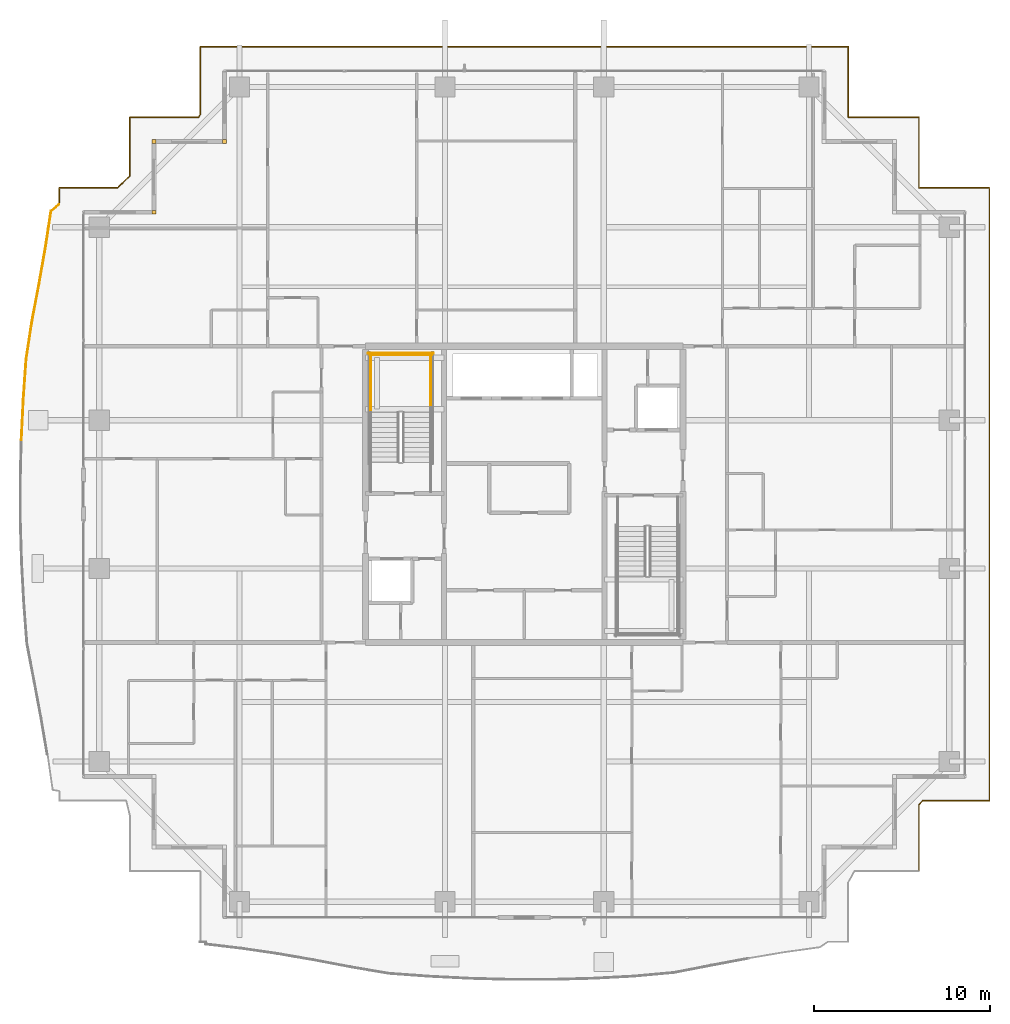
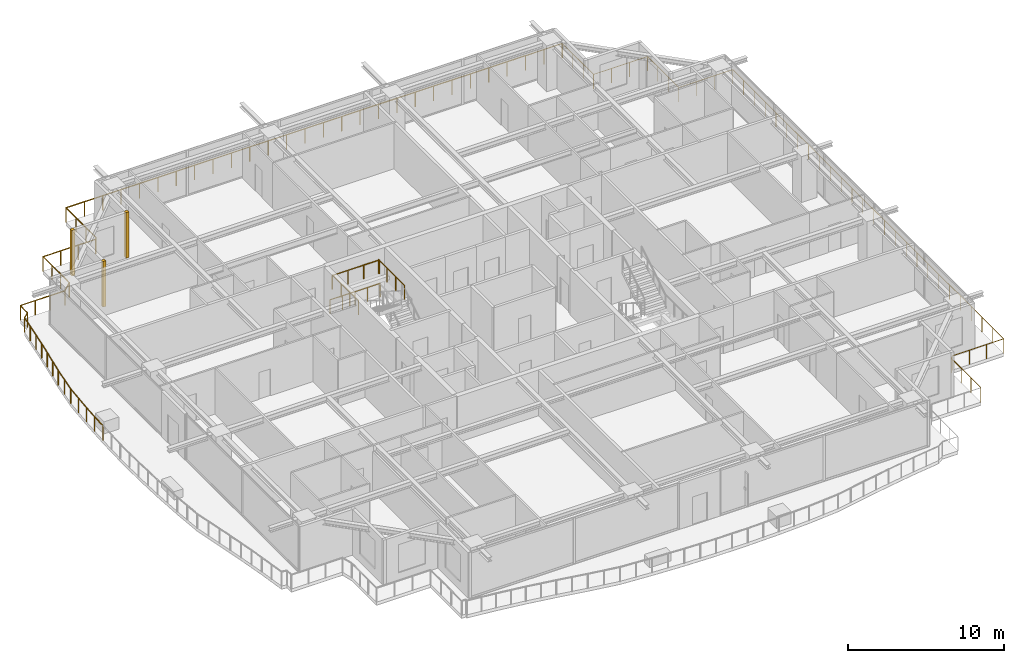
# One storey, part 36 of 37: 7 railings, 3 coverings.
"""IFC4 building model written with IfcOpenShell, lengths in metres."""

from ifc_helpers import new_model, si_unit, direction, frame, origin, origin_2d, place, context, subcontext, project, spatial, rectangle, circle, extrude, source, transform, mapped, material, layer, layer_set, type_object, element, save


model = new_model("IFC4")

# Units and contexts
model_context = context("Model", 3, precision=1e-05, world=origin(), true_north=direction((0.0, 1.0)))
body_context = subcontext(model_context, "Body", "Model", "MODEL_VIEW")
ifc_project = project(units=[si_unit("LENGTHUNIT", "METRE"), si_unit("AREAUNIT", "SQUARE_METRE"), si_unit("VOLUMEUNIT", "CUBIC_METRE"), si_unit("PLANEANGLEUNIT", "RADIAN"), si_unit("MASSUNIT", "GRAM", prefix="KILO")], contexts=[model_context])

# Site, building, storey
site_placement = place(None, origin())
site = spatial("IfcSite", under=ifc_project, at=site_placement, CompositionType="ELEMENT")
building_placement = place(site_placement, origin())
building = spatial("IfcBuilding", under=site, at=building_placement, Name="Serunith Strait Residences", CompositionType="ELEMENT")
storey_placement = place(building_placement, frame((0.0, 0.0, 218.14990234375)))
storey = spatial("IfcBuildingStorey", under=building, at=storey_placement, Name="L54", CompositionType="ELEMENT", Elevation=218.14990234375)

# Railings
ifc_material_1 = material(Name="Stainless Steel & Laminated Glass Balustrade", Category="steel")
railing_type_1 = type_object("IfcRailingType", Name="RLG-BALC-1150", PredefinedType="BALUSTRADE", material=ifc_material_1)
railing_1_placement = place(storey_placement, frame((3.88232421875, 28.289306640625, -0.0498046875)))
element("IfcRailing", 1, at=railing_1_placement, inside=storey, type_object=railing_type_1, Name="L54 Swirling Balcony Perimeter Balustrade 3", PredefinedType="BALUSTRADE", context=body_context, shape_type="SweptSolid", body=[
    extrude(circle(Radius=0.02392578125, at=origin_2d()), frame((0.0, 0.001953125, 1.1259765625), z_axis=(0.048820260477, 0.998807580151, 0.0), x_axis=(-0.998807580151, 0.048820260477, 0.0)), (0.0, 0.0, 1.0), 2.306396484375),
    extrude(circle(Radius=0.02392578125, at=origin_2d()), frame((0.113037109375, 2.3095703125, 1.1259765625), z_axis=(0.069756729847, 0.997564032351, 0.0), x_axis=(-0.997564032351, 0.069756729847, 0.0)), (0.0, 0.0, 1.0), 2.27783203125),
    extrude(circle(Radius=0.02392578125, at=origin_2d()), frame((0.272216796875, 4.5859375, 1.1259765625), z_axis=(0.151974309737, 0.98838444402, 0.0), x_axis=(-0.98838444402, 0.151974309737, 0.0)), (0.0, 0.0, 1.0), 2.209716796875),
    extrude(circle(Radius=0.02392578125, at=origin_2d()), frame((0.60888671875, 6.77392578125, 1.1259765625), z_axis=(0.186839873105, 0.982390381578, 0.0), x_axis=(-0.982390381578, 0.186839873105, 0.0)), (0.0, 0.0, 1.0), 2.138916015625),
    extrude(circle(Radius=0.02392578125, at=origin_2d()), frame((1.009033203125, 8.879150390625, 1.1259765625), z_axis=(0.173159168295, 0.984893853385, 0.0), x_axis=(-0.984893853385, 0.173159168295, 0.0)), (0.0, 0.0, 1.0), 2.0869140625),
    extrude(circle(Radius=0.02392578125, at=origin_2d()), frame((1.37109375, 10.9384765625, 1.1259765625), z_axis=(0.150111437986, 0.988669083256, 0.0), x_axis=(-0.988669083256, 0.150111437986, 0.0)), (0.0, 0.0, 1.0), 2.0517578125),
    extrude(circle(Radius=0.02392578125, at=origin_2d()), frame((1.680908203125, 12.97021484375, 1.1259765625), z_axis=(0.764837226142, 0.644223577267, 0.0), x_axis=(-0.644223577267, 0.764837226142, 0.0)), (0.0, 0.0, 1.0), 0.59521484375),
    extrude(circle(Radius=0.02099609375, at=origin_2d()), origin(), (0.0, 0.0, 1.0), 1.099853515625),
    extrude(circle(Radius=0.02099609375, at=origin_2d()), frame((0.056396484375, 1.15380859375, 0.0)), (0.0, 0.0, 1.0), 1.099853515625),
    extrude(circle(Radius=0.02099609375, at=origin_2d()), frame((0.11279296875, 2.3076171875, 0.0)), (0.0, 0.0, 1.0), 1.099853515625),
    extrude(circle(Radius=0.02099609375, at=origin_2d()), frame((0.1923828125, 3.44580078125, 0.0)), (0.0, 0.0, 1.0), 1.099853515625),
    extrude(circle(Radius=0.02099609375, at=origin_2d()), frame((0.27197265625, 4.583984375, 0.0)), (0.0, 0.0, 1.0), 1.099853515625),
    extrude(circle(Radius=0.02099609375, at=origin_2d()), frame((0.440185546875, 5.677978515625, 0.0)), (0.0, 0.0, 1.0), 1.099853515625),
    extrude(circle(Radius=0.02099609375, at=origin_2d()), frame((0.6083984375, 6.77197265625, 0.0)), (0.0, 0.0, 1.0), 1.099853515625),
    extrude(circle(Radius=0.02099609375, at=origin_2d()), frame((0.80859375, 7.82470703125, 0.0)), (0.0, 0.0, 1.0), 1.099853515625),
    extrude(circle(Radius=0.02099609375, at=origin_2d()), frame((1.0087890625, 8.877197265625, 0.0)), (0.0, 0.0, 1.0), 1.099853515625),
    extrude(circle(Radius=0.02099609375, at=origin_2d()), frame((1.18994140625, 9.90673828125, 0.0)), (0.0, 0.0, 1.0), 1.099853515625),
    extrude(circle(Radius=0.02099609375, at=origin_2d()), frame((1.370849609375, 10.9365234375, 0.0)), (0.0, 0.0, 1.0), 1.099853515625),
    extrude(circle(Radius=0.02099609375, at=origin_2d()), frame((1.525146484375, 11.95263671875, 0.0)), (0.0, 0.0, 1.0), 1.099853515625),
    extrude(circle(Radius=0.02099609375, at=origin_2d()), frame((1.679443359375, 12.968994140625, 0.0)), (0.0, 0.0, 1.0), 1.099853515625),
    extrude(circle(Radius=0.02099609375, at=origin_2d()), frame((2.1376953125, 13.35498046875, 0.0)), (0.0, 0.0, 1.0), 1.099853515625),
])
railing_2_placement = place(storey_placement, frame((6.02001953125, 41.644287109375, -0.0498046875)))
element("IfcRailing", 2, at=railing_2_placement, inside=storey, type_object=railing_type_1, Name="L54 Swirling Balcony Perimeter Balustrade 4", PredefinedType="BALUSTRADE", context=body_context, shape_type="SweptSolid", body=[
    extrude(circle(Radius=0.02392578125, at=origin_2d()), frame((0.0, 0.001953125, 1.1259765625), z_axis=(0.0, 1.0, 0.0), x_axis=(-1.0, 0.0, 0.0)), (0.0, 0.0, 1.0), 0.931884765625),
    extrude(circle(Radius=0.02392578125, at=origin_2d()), frame((0.001953125, 0.935791015625, 1.1259765625), z_axis=(1.0, 0.0, 0.0), x_axis=(0.0, 1.0, 0.0)), (0.0, 0.0, 1.0), 3.295654296875),
    extrude(circle(Radius=0.02392578125, at=origin_2d()), frame((3.301025390625, 0.937255859375, 1.1259765625), z_axis=(0.731402754237, 0.681945753777, 0.0), x_axis=(-0.681945753777, 0.731402754237, 0.0)), (0.0, 0.0, 1.0), 0.95361328125),
    extrude(circle(Radius=0.02392578125, at=origin_2d()), frame((4.0, 1.5908203125, 1.1259765625), z_axis=(0.0, 1.0, 0.0), x_axis=(-1.0, 0.0, 0.0)), (0.0, 0.0, 1.0), 3.343017578125),
    extrude(circle(Radius=0.02392578125, at=origin_2d()), frame((4.001953125, 4.935791015625, 1.1259765625), z_axis=(1.0, 0.0, 0.0), x_axis=(0.0, 1.0, 0.0)), (0.0, 0.0, 1.0), 3.89501953125),
    extrude(circle(Radius=0.02392578125, at=origin_2d()), frame((7.89990234375, 4.9375, 1.1259765625), z_axis=(0.547356223896, 0.836899733638, 0.0), x_axis=(-0.836899733638, 0.547356223896, 0.0)), (0.0, 0.0, 1.0), 0.1806640625),
    extrude(circle(Radius=0.02392578125, at=origin_2d()), frame((8.0, 5.09228515625, 1.1259765625), z_axis=(0.0, 1.0, 0.0), x_axis=(-1.0, 0.0, 0.0)), (0.0, 0.0, 1.0), 3.841552734375),
    extrude(circle(Radius=0.02392578125, at=origin_2d()), frame((8.001953125, 8.935791015625, 1.1259765625), z_axis=(1.0, 0.0, 0.0), x_axis=(0.0, 1.0, 0.0)), (0.0, 0.0, 1.0), 36.756103515625),
    extrude(circle(Radius=0.02099609375, at=origin_2d()), origin(), (0.0, 0.0, 1.0), 1.099853515625),
    extrude(circle(Radius=0.02099609375, at=origin_2d()), frame((0.0, 0.935791015625, 0.0)), (0.0, 0.0, 1.0), 1.099853515625),
    extrude(circle(Radius=0.02099609375, at=origin_2d()), frame((1.099853515625, 0.935791015625, 0.0)), (0.0, 0.0, 1.0), 1.099853515625),
    extrude(circle(Radius=0.02099609375, at=origin_2d()), frame((2.19970703125, 0.935791015625, 0.0)), (0.0, 0.0, 1.0), 1.099853515625),
    extrude(circle(Radius=0.02099609375, at=origin_2d()), frame((3.299560546875, 0.935791015625, 0.0)), (0.0, 0.0, 1.0), 1.099853515625),
    extrude(circle(Radius=0.02099609375, at=origin_2d()), frame((4.0, 1.5888671875, 0.0)), (0.0, 0.0, 1.0), 1.099853515625),
    extrude(circle(Radius=0.02099609375, at=origin_2d()), frame((4.0, 2.70458984375, 0.0)), (0.0, 0.0, 1.0), 1.099853515625),
    extrude(circle(Radius=0.02099609375, at=origin_2d()), frame((4.0, 3.820068359375, 0.0)), (0.0, 0.0, 1.0), 1.099853515625),
    extrude(circle(Radius=0.02099609375, at=origin_2d()), frame((4.0, 4.935791015625, 0.0)), (0.0, 0.0, 1.0), 1.099853515625),
    extrude(circle(Radius=0.02099609375, at=origin_2d()), frame((5.299560546875, 4.935791015625, 0.0)), (0.0, 0.0, 1.0), 1.099853515625),
    extrude(circle(Radius=0.02099609375, at=origin_2d()), frame((6.599365234375, 4.935791015625, 0.0)), (0.0, 0.0, 1.0), 1.099853515625),
    extrude(circle(Radius=0.02099609375, at=origin_2d()), frame((7.89892578125, 4.935791015625, 0.0)), (0.0, 0.0, 1.0), 1.099853515625),
    extrude(circle(Radius=0.02099609375, at=origin_2d()), frame((8.0, 5.09033203125, 0.0)), (0.0, 0.0, 1.0), 1.099853515625),
    extrude(circle(Radius=0.02099609375, at=origin_2d()), frame((8.0, 6.3720703125, 0.0)), (0.0, 0.0, 1.0), 1.099853515625),
    extrude(circle(Radius=0.02099609375, at=origin_2d()), frame((8.0, 7.654052734375, 0.0)), (0.0, 0.0, 1.0), 1.099853515625),
    extrude(circle(Radius=0.02099609375, at=origin_2d()), frame((8.0, 8.935791015625, 0.0)), (0.0, 0.0, 1.0), 1.099853515625),
    extrude(circle(Radius=0.02099609375, at=origin_2d()), frame((9.361572265625, 8.935791015625, 0.0)), (0.0, 0.0, 1.0), 1.099853515625),
    extrude(circle(Radius=0.02099609375, at=origin_2d()), frame((10.722900390625, 8.935791015625, 0.0)), (0.0, 0.0, 1.0), 1.099853515625),
    extrude(circle(Radius=0.02099609375, at=origin_2d()), frame((12.08447265625, 8.935791015625, 0.0)), (0.0, 0.0, 1.0), 1.099853515625),
    extrude(circle(Radius=0.02099609375, at=origin_2d()), frame((13.446044921875, 8.935791015625, 0.0)), (0.0, 0.0, 1.0), 1.099853515625),
    extrude(circle(Radius=0.02099609375, at=origin_2d()), frame((14.807373046875, 8.935791015625, 0.0)), (0.0, 0.0, 1.0), 1.099853515625),
    extrude(circle(Radius=0.02099609375, at=origin_2d()), frame((16.1689453125, 8.935791015625, 0.0)), (0.0, 0.0, 1.0), 1.099853515625),
    extrude(circle(Radius=0.02099609375, at=origin_2d()), frame((17.5302734375, 8.935791015625, 0.0)), (0.0, 0.0, 1.0), 1.099853515625),
    extrude(circle(Radius=0.02099609375, at=origin_2d()), frame((18.891845703125, 8.935791015625, 0.0)), (0.0, 0.0, 1.0), 1.099853515625),
    extrude(circle(Radius=0.02099609375, at=origin_2d()), frame((20.25341796875, 8.935791015625, 0.0)), (0.0, 0.0, 1.0), 1.099853515625),
    extrude(circle(Radius=0.02099609375, at=origin_2d()), frame((21.61474609375, 8.935791015625, 0.0)), (0.0, 0.0, 1.0), 1.099853515625),
    extrude(circle(Radius=0.02099609375, at=origin_2d()), frame((22.976318359375, 8.935791015625, 0.0)), (0.0, 0.0, 1.0), 1.099853515625),
    extrude(circle(Radius=0.02099609375, at=origin_2d()), frame((24.337890625, 8.935791015625, 0.0)), (0.0, 0.0, 1.0), 1.099853515625),
    extrude(circle(Radius=0.02099609375, at=origin_2d()), frame((25.69921875, 8.935791015625, 0.0)), (0.0, 0.0, 1.0), 1.099853515625),
    extrude(circle(Radius=0.02099609375, at=origin_2d()), frame((27.060791015625, 8.935791015625, 0.0)), (0.0, 0.0, 1.0), 1.099853515625),
    extrude(circle(Radius=0.02099609375, at=origin_2d()), frame((28.422119140625, 8.935791015625, 0.0)), (0.0, 0.0, 1.0), 1.099853515625),
    extrude(circle(Radius=0.02099609375, at=origin_2d()), frame((29.78369140625, 8.935791015625, 0.0)), (0.0, 0.0, 1.0), 1.099853515625),
    extrude(circle(Radius=0.02099609375, at=origin_2d()), frame((31.145263671875, 8.935791015625, 0.0)), (0.0, 0.0, 1.0), 1.099853515625),
    extrude(circle(Radius=0.02099609375, at=origin_2d()), frame((32.506591796875, 8.935791015625, 0.0)), (0.0, 0.0, 1.0), 1.099853515625),
    extrude(circle(Radius=0.02099609375, at=origin_2d()), frame((33.8681640625, 8.935791015625, 0.0)), (0.0, 0.0, 1.0), 1.099853515625),
    extrude(circle(Radius=0.02099609375, at=origin_2d()), frame((35.229736328125, 8.935791015625, 0.0)), (0.0, 0.0, 1.0), 1.099853515625),
    extrude(circle(Radius=0.02099609375, at=origin_2d()), frame((36.591064453125, 8.935791015625, 0.0)), (0.0, 0.0, 1.0), 1.099853515625),
    extrude(circle(Radius=0.02099609375, at=origin_2d()), frame((37.95263671875, 8.935791015625, 0.0)), (0.0, 0.0, 1.0), 1.099853515625),
    extrude(circle(Radius=0.02099609375, at=origin_2d()), frame((39.31396484375, 8.935791015625, 0.0)), (0.0, 0.0, 1.0), 1.099853515625),
    extrude(circle(Radius=0.02099609375, at=origin_2d()), frame((40.675537109375, 8.935791015625, 0.0)), (0.0, 0.0, 1.0), 1.099853515625),
    extrude(circle(Radius=0.02099609375, at=origin_2d()), frame((42.037109375, 8.935791015625, 0.0)), (0.0, 0.0, 1.0), 1.099853515625),
    extrude(circle(Radius=0.02099609375, at=origin_2d()), frame((43.3984375, 8.935791015625, 0.0)), (0.0, 0.0, 1.0), 1.099853515625),
    extrude(circle(Radius=0.02099609375, at=origin_2d()), frame((44.760009765625, 8.935791015625, 0.0)), (0.0, 0.0, 1.0), 1.099853515625),
])
railing_3_placement = place(storey_placement, frame((50.780029296875, 50.580078125, -0.0498046875)))
element("IfcRailing", 3, at=railing_3_placement, inside=storey, type_object=railing_type_1, Name="L54 Swirling Balcony Perimeter Balustrade 5", PredefinedType="BALUSTRADE", context=body_context, shape_type="SweptSolid", body=[
    extrude(circle(Radius=0.02392578125, at=origin_2d()), frame((0.0, -0.001953125, 1.1259765625), z_axis=(0.0, -1.0, 0.0), x_axis=(1.0, 0.0, 0.0)), (0.0, 0.0, 1.0), 3.99609375),
    extrude(circle(Radius=0.02392578125, at=origin_2d()), frame((0.001953125, -4.0, 1.1259765625), z_axis=(1.0, 0.0, 0.0), x_axis=(0.0, 1.0, 0.0)), (0.0, 0.0, 1.0), 3.99609375),
    extrude(circle(Radius=0.02392578125, at=origin_2d()), frame((4.0, -4.001953125, 1.1259765625), z_axis=(0.0, -1.0, 0.0), x_axis=(1.0, 0.0, 0.0)), (0.0, 0.0, 1.0), 3.99609375),
    extrude(circle(Radius=0.02392578125, at=origin_2d()), frame((4.001953125, -8.0, 1.1259765625), z_axis=(1.0, 0.0, 0.0), x_axis=(0.0, 1.0, 0.0)), (0.0, 0.0, 1.0), 3.99609375),
    extrude(circle(Radius=0.02392578125, at=origin_2d()), frame((8.0, -8.001953125, 1.1259765625), z_axis=(0.0, -1.0, 0.0), x_axis=(1.0, 0.0, 0.0)), (0.0, 0.0, 1.0), 34.756103515625),
    extrude(circle(Radius=0.02392578125, at=origin_2d()), frame((7.998046875, -42.760009765625, 1.1259765625), z_axis=(-1.0, 0.0, 0.0), x_axis=(0.0, -1.0, 0.0)), (0.0, 0.0, 1.0), 3.801025390625),
    extrude(circle(Radius=0.02392578125, at=origin_2d()), frame((4.19384765625, -42.761474609375, 1.1259765625), z_axis=(-0.659789800433, -0.751450210756, 0.0), x_axis=(0.751450210756, -0.659789800433, 0.0)), (0.0, 0.0, 1.0), 0.291748046875),
    extrude(circle(Radius=0.02392578125, at=origin_2d()), frame((4.0, -42.984130859375, 1.1259765625), z_axis=(0.0, -1.0, 0.0), x_axis=(1.0, 0.0, 0.0)), (0.0, 0.0, 1.0), 3.77392578125),
    extrude(circle(Radius=0.02099609375, at=origin_2d()), origin(), (0.0, 0.0, 1.0), 1.099853515625),
    extrude(circle(Radius=0.02099609375, at=origin_2d()), frame((0.0, -1.333251953125, 0.0)), (0.0, 0.0, 1.0), 1.099853515625),
    extrude(circle(Radius=0.02099609375, at=origin_2d()), frame((0.0, -2.666748046875, 0.0)), (0.0, 0.0, 1.0), 1.099853515625),
    extrude(circle(Radius=0.02099609375, at=origin_2d()), frame((0.0, -4.0, 0.0)), (0.0, 0.0, 1.0), 1.099853515625),
    extrude(circle(Radius=0.02099609375, at=origin_2d()), frame((1.333251953125, -4.0, 0.0)), (0.0, 0.0, 1.0), 1.099853515625),
    extrude(circle(Radius=0.02099609375, at=origin_2d()), frame((2.666748046875, -4.0, 0.0)), (0.0, 0.0, 1.0), 1.099853515625),
    extrude(circle(Radius=0.02099609375, at=origin_2d()), frame((4.0, -4.0, 0.0)), (0.0, 0.0, 1.0), 1.099853515625),
    extrude(circle(Radius=0.02099609375, at=origin_2d()), frame((4.0, -5.333251953125, 0.0)), (0.0, 0.0, 1.0), 1.099853515625),
    extrude(circle(Radius=0.02099609375, at=origin_2d()), frame((4.0, -6.666748046875, 0.0)), (0.0, 0.0, 1.0), 1.099853515625),
    extrude(circle(Radius=0.02099609375, at=origin_2d()), frame((4.0, -8.0, 0.0)), (0.0, 0.0, 1.0), 1.099853515625),
    extrude(circle(Radius=0.02099609375, at=origin_2d()), frame((5.333251953125, -8.0, 0.0)), (0.0, 0.0, 1.0), 1.099853515625),
    extrude(circle(Radius=0.02099609375, at=origin_2d()), frame((6.666748046875, -8.0, 0.0)), (0.0, 0.0, 1.0), 1.099853515625),
    extrude(circle(Radius=0.02099609375, at=origin_2d()), frame((8.0, -8.0, 0.0)), (0.0, 0.0, 1.0), 1.099853515625),
    extrude(circle(Radius=0.02099609375, at=origin_2d()), frame((8.0, -9.390380859375, 0.0)), (0.0, 0.0, 1.0), 1.099853515625),
    extrude(circle(Radius=0.02099609375, at=origin_2d()), frame((8.0, -10.78076171875, 0.0)), (0.0, 0.0, 1.0), 1.099853515625),
    extrude(circle(Radius=0.02099609375, at=origin_2d()), frame((8.0, -12.171142578125, 0.0)), (0.0, 0.0, 1.0), 1.099853515625),
    extrude(circle(Radius=0.02099609375, at=origin_2d()), frame((8.0, -13.5615234375, 0.0)), (0.0, 0.0, 1.0), 1.099853515625),
    extrude(circle(Radius=0.02099609375, at=origin_2d()), frame((8.0, -14.951904296875, 0.0)), (0.0, 0.0, 1.0), 1.099853515625),
    extrude(circle(Radius=0.02099609375, at=origin_2d()), frame((8.0, -16.34228515625, 0.0)), (0.0, 0.0, 1.0), 1.099853515625),
    extrude(circle(Radius=0.02099609375, at=origin_2d()), frame((8.0, -17.73291015625, 0.0)), (0.0, 0.0, 1.0), 1.099853515625),
    extrude(circle(Radius=0.02099609375, at=origin_2d()), frame((8.0, -19.123291015625, 0.0)), (0.0, 0.0, 1.0), 1.099853515625),
    extrude(circle(Radius=0.02099609375, at=origin_2d()), frame((8.0, -20.513671875, 0.0)), (0.0, 0.0, 1.0), 1.099853515625),
    extrude(circle(Radius=0.02099609375, at=origin_2d()), frame((8.0, -21.904052734375, 0.0)), (0.0, 0.0, 1.0), 1.099853515625),
    extrude(circle(Radius=0.02099609375, at=origin_2d()), frame((8.0, -23.29443359375, 0.0)), (0.0, 0.0, 1.0), 1.099853515625),
    extrude(circle(Radius=0.02099609375, at=origin_2d()), frame((8.0, -24.684814453125, 0.0)), (0.0, 0.0, 1.0), 1.099853515625),
    extrude(circle(Radius=0.02099609375, at=origin_2d()), frame((8.0, -26.0751953125, 0.0)), (0.0, 0.0, 1.0), 1.099853515625),
    extrude(circle(Radius=0.02099609375, at=origin_2d()), frame((8.0, -27.465576171875, 0.0)), (0.0, 0.0, 1.0), 1.099853515625),
    extrude(circle(Radius=0.02099609375, at=origin_2d()), frame((8.0, -28.85595703125, 0.0)), (0.0, 0.0, 1.0), 1.099853515625),
    extrude(circle(Radius=0.02099609375, at=origin_2d()), frame((8.0, -30.246337890625, 0.0)), (0.0, 0.0, 1.0), 1.099853515625),
    extrude(circle(Radius=0.02099609375, at=origin_2d()), frame((8.0, -31.63671875, 0.0)), (0.0, 0.0, 1.0), 1.099853515625),
    extrude(circle(Radius=0.02099609375, at=origin_2d()), frame((8.0, -33.027099609375, 0.0)), (0.0, 0.0, 1.0), 1.099853515625),
    extrude(circle(Radius=0.02099609375, at=origin_2d()), frame((8.0, -34.417724609375, 0.0)), (0.0, 0.0, 1.0), 1.099853515625),
    extrude(circle(Radius=0.02099609375, at=origin_2d()), frame((8.0, -35.80810546875, 0.0)), (0.0, 0.0, 1.0), 1.099853515625),
    extrude(circle(Radius=0.02099609375, at=origin_2d()), frame((8.0, -37.198486328125, 0.0)), (0.0, 0.0, 1.0), 1.099853515625),
    extrude(circle(Radius=0.02099609375, at=origin_2d()), frame((8.0, -38.5888671875, 0.0)), (0.0, 0.0, 1.0), 1.099853515625),
    extrude(circle(Radius=0.02099609375, at=origin_2d()), frame((8.0, -39.979248046875, 0.0)), (0.0, 0.0, 1.0), 1.099853515625),
    extrude(circle(Radius=0.02099609375, at=origin_2d()), frame((8.0, -41.36962890625, 0.0)), (0.0, 0.0, 1.0), 1.099853515625),
    extrude(circle(Radius=0.02099609375, at=origin_2d()), frame((8.0, -42.760009765625, 0.0)), (0.0, 0.0, 1.0), 1.099853515625),
    extrude(circle(Radius=0.02099609375, at=origin_2d()), frame((6.731689453125, -42.760009765625, 0.0)), (0.0, 0.0, 1.0), 1.099853515625),
    extrude(circle(Radius=0.02099609375, at=origin_2d()), frame((5.46337890625, -42.760009765625, 0.0)), (0.0, 0.0, 1.0), 1.099853515625),
    extrude(circle(Radius=0.02099609375, at=origin_2d()), frame((4.195068359375, -42.760009765625, 0.0)), (0.0, 0.0, 1.0), 1.099853515625),
    extrude(circle(Radius=0.02099609375, at=origin_2d()), frame((4.0, -42.982177734375, 0.0)), (0.0, 0.0, 1.0), 1.099853515625),
    extrude(circle(Radius=0.02099609375, at=origin_2d()), frame((4.0, -44.241455078125, 0.0)), (0.0, 0.0, 1.0), 1.099853515625),
    extrude(circle(Radius=0.02099609375, at=origin_2d()), frame((4.0, -45.500732421875, 0.0)), (0.0, 0.0, 1.0), 1.099853515625),
    extrude(circle(Radius=0.02099609375, at=origin_2d()), frame((4.0, -46.760009765625, 0.0)), (0.0, 0.0, 1.0), 1.099853515625),
])
ifc_material_2 = material(Name="Brushed stainless steel 316L", Category="steel")
railing_type_2 = type_object("IfcRailingType", Name="RLG-STAIR-GUARD", PredefinedType="BALUSTRADE", material=ifc_material_2)
for number, where, name in (
    (4, (27.10009765625, 29.830078125, 1.925048828125), "L54 ST-1 stair guard 3"),
    (5, (23.699951171875, 29.830078125, 1.925048828125), "L54 ST-1 stair guard 4"),
):
    element("IfcRailing", number, at=place(storey_placement, frame(where)), inside=storey, type_object=railing_type_2, Name=name, PredefinedType="BALUSTRADE", context=body_context, shape_type="SweptSolid", body=[
        extrude(circle(Radius=0.02392578125, at=origin_2d()), frame((0.0, 0.001953125, 1.076171875), z_axis=(0.0, 1.0, 0.0), x_axis=(-1.0, 0.0, 0.0)), (0.0, 0.0, 1.0), 3.31591796875),
        extrude(circle(Radius=0.02099609375, at=origin_2d()), origin(), (0.0, 0.0, 1.0), 1.050048828125),
        extrude(circle(Radius=0.02099609375, at=origin_2d()), frame((0.0, 1.106689453125, 0.0)), (0.0, 0.0, 1.0), 1.050048828125),
        extrude(circle(Radius=0.02099609375, at=origin_2d()), frame((0.0, 2.213134765625, 0.0)), (0.0, 0.0, 1.0), 1.050048828125),
        extrude(circle(Radius=0.02099609375, at=origin_2d()), frame((0.0, 3.31982421875, 0.0)), (0.0, 0.0, 1.0), 1.050048828125),
    ])
railing_4_placement = place(storey_placement, frame((27.14990234375, 33.10009765625, 1.925048828125)))
element("IfcRailing", 6, at=railing_4_placement, inside=storey, type_object=railing_type_2, Name="L54 ST-1 stair guard 5", PredefinedType="BALUSTRADE", context=body_context, shape_type="SweptSolid", body=[
    extrude(circle(Radius=0.02392578125, at=origin_2d()), frame((-0.001953125, 0.0, 1.076171875), z_axis=(-1.0, 0.0, 0.0), x_axis=(0.0, -1.0, 0.0)), (0.0, 0.0, 1.0), 3.49609375),
    extrude(circle(Radius=0.02099609375, at=origin_2d()), origin(), (0.0, 0.0, 1.0), 1.050048828125),
    extrude(circle(Radius=0.02099609375, at=origin_2d()), frame((-1.166748046875, 0.0, 0.0)), (0.0, 0.0, 1.0), 1.050048828125),
    extrude(circle(Radius=0.02099609375, at=origin_2d()), frame((-2.333251953125, 0.0, 0.0)), (0.0, 0.0, 1.0), 1.050048828125),
    extrude(circle(Radius=0.02099609375, at=origin_2d()), frame((-3.5, 0.0, 0.0)), (0.0, 0.0, 1.0), 1.050048828125),
])
railing_5_placement = place(storey_placement, frame((27.25, 33.199951171875, 0.0)))
element("IfcRailing", 7, at=railing_5_placement, inside=storey, type_object=railing_type_2, Name="L54 ST-1 stair guard 12", PredefinedType="BALUSTRADE", context=body_context, shape_type="SweptSolid", body=[
    extrude(circle(Radius=0.02392578125, at=origin_2d()), frame((-0.001953125, 0.0, 1.076171875), z_axis=(-1.0, 0.0, 0.0), x_axis=(0.0, -1.0, 0.0)), (0.0, 0.0, 1.0), 3.696044921875),
    extrude(circle(Radius=0.02099609375, at=origin_2d()), origin(), (0.0, 0.0, 1.0), 1.050048828125),
    extrude(circle(Radius=0.02099609375, at=origin_2d()), frame((-0.925048828125, 0.0, 0.0)), (0.0, 0.0, 1.0), 1.050048828125),
    extrude(circle(Radius=0.02099609375, at=origin_2d()), frame((-1.85009765625, 0.0, 0.0)), (0.0, 0.0, 1.0), 1.050048828125),
    extrude(circle(Radius=0.02099609375, at=origin_2d()), frame((-2.77490234375, 0.0, 0.0)), (0.0, 0.0, 1.0), 1.050048828125),
    extrude(circle(Radius=0.02099609375, at=origin_2d()), frame((-3.699951171875, 0.0, 0.0)), (0.0, 0.0, 1.0), 1.050048828125),
])

# Coverings
ifc_material_3 = material(Name="Pale-Champagne Anodised Aluminium", Category="aluminium")
ifc_layer = layer(ifc_material_3, 0.219970703125, Name="Pale-Champagne Anodised Aluminium")
ifc_layer_set = layer_set([ifc_layer], Name="Pale-Champagne Anodised Aluminium")
covering_type = type_object("IfcCoveringType", Name="COV-CORN-TRIM", PredefinedType="CLADDING", material=ifc_layer_set)
shared_shape = source(origin(), body_context, "Body", "SweptSolid", [
    extrude(rectangle(XDim=0.221923828125, YDim=0.221923828125, at=origin_2d()), origin(), (0.0, 0.0, 1.0), 3.574951171875),
])
for number, where, z_axis, x_axis, name in (
    (8, (15.39990234375, 45.199951171875, 0.0), (0.0, 0.0, 1.0), (1.0, 0.0, 0.0), "L54 Girih Serrated Corner Trim Post 12"),
    (9, (11.39990234375, 45.199951171875, 0.0), (0.0, 0.0, 1.0), (1.0, 0.0, 0.0), "L54 Girih Serrated Corner Trim Post 13"),
    (10, (11.39990234375, 41.199951171875, 0.0), (0.0, 0.0, 1.0), (1.0, 0.0, 0.0), "L54 Girih Serrated Corner Trim Post 14"),
):
    element("IfcCovering", number, at=place(storey_placement, frame(where, z_axis=z_axis, x_axis=x_axis)), inside=storey, type_object=covering_type, Name=name, PredefinedType="CLADDING", context=body_context, shape_type="MappedRepresentation", body=[
        mapped(shared_shape, transform((0.0, 0.0, 0.0), scale=1.0)),
    ])

save(model, "model.ifc")
